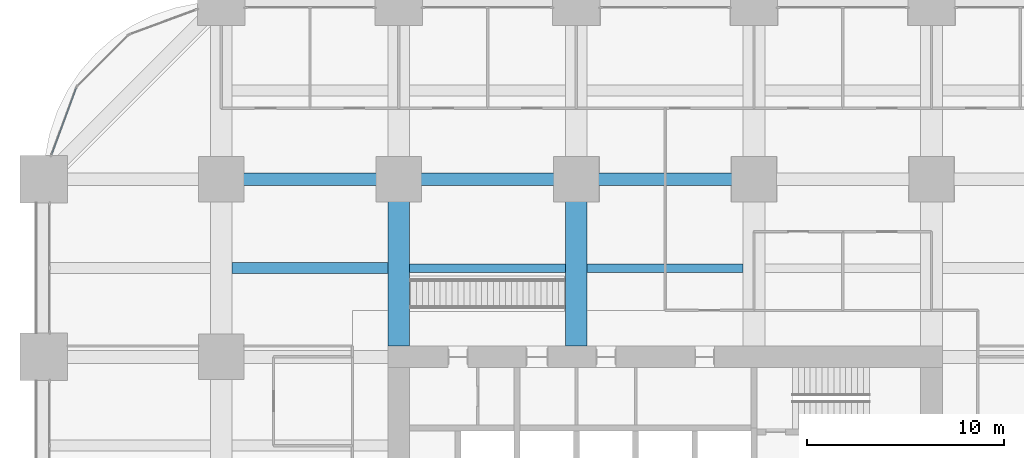
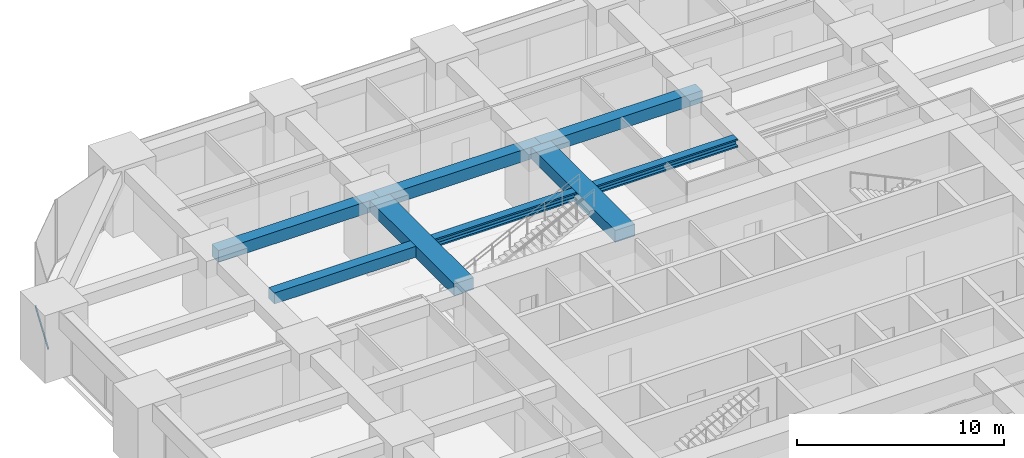
# One storey, part 26 of 45: 8 beams, 1 member, 1 element without a shape of its own.
"""IFC4 building model written with IfcOpenShell, lengths in metres."""

from ifc_helpers import new_model, si_unit, direction, frame, origin, origin_2d, place, context, subcontext, project, spatial, rectangle, hollow_rectangle, i_section, extrude, material, material_profile, profile_set, type_object, element, aggregate, save


model = new_model("IFC4")

# Units and contexts
model_context = context("Model", 3, precision=1e-05, world=origin(), true_north=direction((0.0, 1.0)))
body_context = subcontext(model_context, "Body", "Model", "MODEL_VIEW")
ifc_project = project(units=[si_unit("LENGTHUNIT", "METRE"), si_unit("AREAUNIT", "SQUARE_METRE"), si_unit("VOLUMEUNIT", "CUBIC_METRE"), si_unit("PLANEANGLEUNIT", "RADIAN"), si_unit("MASSUNIT", "GRAM", prefix="KILO")], contexts=[model_context])

# Site, building, storey
site_placement = place(None, origin())
site = spatial("IfcSite", under=ifc_project, at=site_placement, CompositionType="ELEMENT")
building_placement = place(site_placement, origin())
building = spatial("IfcBuilding", under=site, at=building_placement, Name="Zorevar Civic Tower", CompositionType="ELEMENT")
storey_placement = place(building_placement, frame((0.0, 0.0, 39.800048828125)))
storey = spatial("IfcBuildingStorey", under=building, at=storey_placement, Name="L09", CompositionType="ELEMENT", Elevation=39.800048828125)

# Beams
ifc_material_1 = material(Name="Concrete C50/60", Category="concrete")
ifc_material_profile_1 = material_profile(ifc_material_1, rectangle(XDim=1.10009765625, YDim=0.699951171875, at=origin_2d()), Name="RC 1100x700")
ifc_profile_set_1 = profile_set([ifc_material_profile_1], Name="Concrete C50/60")
beam_type_1 = type_object("IfcBeamType", Name="Beam RC 1100x700", PredefinedType="BEAM", material=ifc_profile_set_1)
for number, where, z_axis, x_axis, name in (
    (1, (18.0, 36.550048828125, 3.39990234375), (0.0, 1.0, 0.0), (-1.0, 0.0, 0.0), "Girder L10"),
    (2, (27.0, 36.550048828125, 3.39990234375), (0.0, 1.0, 0.0), (-1.0, 0.0, 0.0), "Girder L10"),
):
    element("IfcBeam", number, at=place(storey_placement, frame(where, z_axis=z_axis, x_axis=x_axis)), inside=storey, type_object=beam_type_1, Name=name, PredefinedType="BEAM", context=body_context, shape_type="SweptSolid", body=[
        extrude(rectangle(XDim=1.10009765625, YDim=0.699951171875, at=origin_2d()), origin(), (0.0, 0.0, 1.0), 8.449951171875),
    ])
ifc_material_2 = material(Name="Concrete C50/60", Category="concrete")
ifc_material_profile_2 = material_profile(ifc_material_2, rectangle(XDim=0.550048828125, YDim=0.64990234375, at=origin_2d()), Name="RC 550x650")
ifc_profile_set_2 = profile_set([ifc_material_profile_2], Name="Concrete C50/60")
beam_type_2 = type_object("IfcBeamType", Name="Beam RC 550x650", PredefinedType="BEAM", material=ifc_profile_set_2)
beam_placement = place(storey_placement, frame((9.550048828125, 40.5, 3.425048828125), z_axis=(1.0, 0.0, 0.0), x_axis=(0.0, 1.0, 0.0)))
element("IfcBeam", 3, at=beam_placement, inside=storey, type_object=beam_type_2, Name="Secondary beam L10", PredefinedType="BEAM", context=body_context, shape_type="SweptSolid", body=[
    extrude(rectangle(XDim=0.550048828125, YDim=0.64990234375, at=origin_2d()), origin(), (0.0, 0.0, 1.0), 7.89990234375),
])
ifc_material_3 = material(Name="Concrete C50/60", Category="concrete")
ifc_material_profile_3 = material_profile(ifc_material_3, rectangle(XDim=0.64990234375, YDim=0.699951171875, at=origin_2d()), Name="RC 650x700")
ifc_profile_set_3 = profile_set([ifc_material_profile_3], Name="Concrete C50/60")
beam_type_3 = type_object("IfcBeamType", Name="Beam RC 650x700", PredefinedType="BEAM", material=ifc_profile_set_3)
for number, where, z_axis, x_axis, name in (
    (4, (9.0, 45.0, 3.39990234375), (1.0, 0.0, 0.0), (0.0, 1.0, 0.0), "Girder L10"),
    (5, (18.0, 45.0, 3.39990234375), (1.0, 0.0, 0.0), (0.0, 1.0, 0.0), "Girder L10"),
    (6, (27.0, 45.0, 3.39990234375), (1.0, 0.0, 0.0), (0.0, 1.0, 0.0), "Girder L10"),
):
    element("IfcBeam", number, at=place(storey_placement, frame(where, z_axis=z_axis, x_axis=x_axis)), inside=storey, type_object=beam_type_3, Name=name, PredefinedType="BEAM", context=body_context, shape_type="SweptSolid", body=[
        extrude(rectangle(XDim=0.64990234375, YDim=0.699951171875, at=origin_2d()), origin(), (0.0, 0.0, 1.0), 9.0),
    ])

# Curtain wall, member
ifc_material_4 = material(Name="Dark grey solar-control glass in black aluminium frame", Category="aluminium")
curtain_wall_type = type_object("IfcCurtainWallType", Name="Curtain wall CW2 low zone", PredefinedType="NOTDEFINED", material=ifc_material_4)
curtain_wall_placement = place(storey_placement, origin())
curtain_wall = element("IfcCurtainWall", 7, at=curtain_wall_placement, inside=storey, type_object=curtain_wall_type, Name="CW2 L09", PredefinedType="NOTDEFINED")
ifc_material_5 = material(Name="Aluminium, black anodised", Category="aluminium")
ifc_material_profile_4 = material_profile(ifc_material_5, hollow_rectangle(XDim=0.06005859375, YDim=0.14990234375, WallThickness=0.00390625, at=origin_2d()), Name="AL 150x60x4")
ifc_profile_set_4 = profile_set([ifc_material_profile_4], Name="Aluminium, black anodised")
member_type = type_object("IfcMemberType", Name="CW2 transom AL 150x60x4", PredefinedType="USERDEFINED", material=ifc_profile_set_4)
member_placement = place(storey_placement, frame((1.6533203125, 49.636474609375, 0.030029296875), z_axis=(-0.346672169799, -0.93798635741, 0.0), x_axis=(0.93798635741, -0.346672169799, 0.0)))
member = element("IfcMember", 8, at=member_placement, type_object=member_type, Name="CW2 sill transom", ObjectType="TRANSOM", PredefinedType="USERDEFINED", context=body_context, shape_type="SweptSolid", body=[
    extrude(hollow_rectangle(XDim=0.06005859375, YDim=0.14990234375, WallThickness=0.00390625, at=origin_2d()), origin(), (0.0, 0.0, 1.0), 3.603515625),
])
aggregate(curtain_wall, [member])

# Beams
ifc_material_6 = material(Name="Steel S460M (HISTAR 460)", Category="steel")
ifc_material_profile_5 = material_profile(ifc_material_6, i_section(OverallWidth=0.431884765625, OverallDepth=0.498046875, WebThickness=0.0556640625, FlangeThickness=0.0888671875, FilletRadius=0.014892578125, at=origin_2d()), Name="HD 400x744")
ifc_profile_set_5 = profile_set([ifc_material_profile_5], Name="Steel S460M (HISTAR 460)")
beam_type_4 = type_object("IfcBeamType", Name="Core bay beam HD 400x744", PredefinedType="BEAM", material=ifc_profile_set_5)
for number, where, z_axis, x_axis, name in (
    (9, (18.550048828125, 40.5, 3.5009765625), (1.0, 0.0, 0.0), (0.0, 1.0, 0.0), "Secondary beam L10"),
    (10, (27.550048828125, 40.5, 3.5009765625), (1.0, 0.0, 0.0), (0.0, 1.0, 0.0), "Secondary beam L10"),
):
    element("IfcBeam", number, at=place(storey_placement, frame(where, z_axis=z_axis, x_axis=x_axis)), inside=storey, type_object=beam_type_4, Name=name, PredefinedType="BEAM", context=body_context, shape_type="SweptSolid", body=[
        extrude(i_section(OverallWidth=0.431884765625, OverallDepth=0.498046875, WebThickness=0.0556640625, FlangeThickness=0.0888671875, FilletRadius=0.014892578125, at=origin_2d()), origin(), (0.0, 0.0, 1.0), 7.89990234375),
    ])

save(model, "model.ifc")
